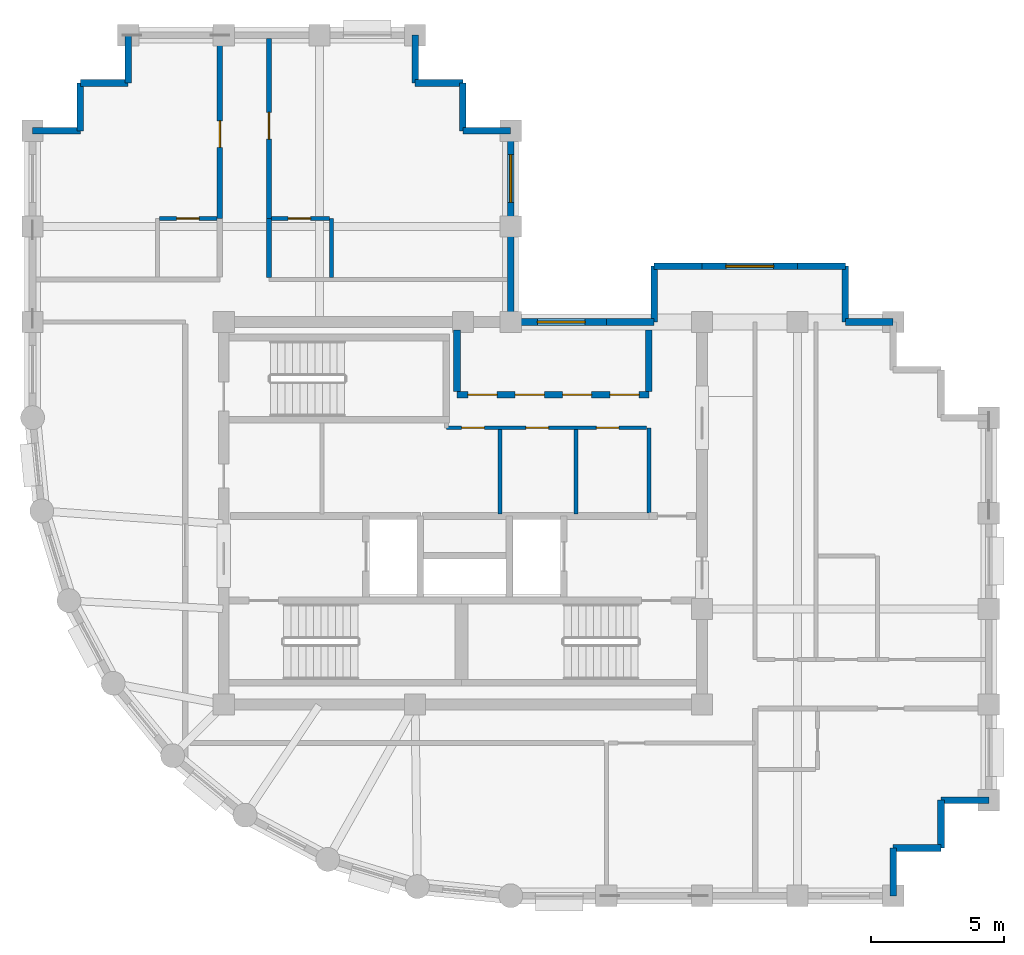
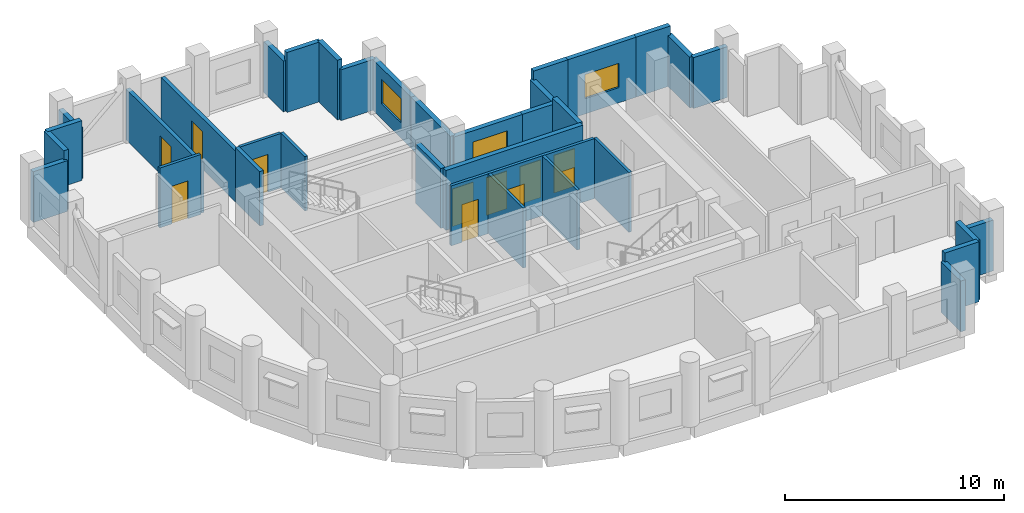
# One storey, part 4 of 7: 35 walls, 11 doors, 3 windows, 14 openings.
"""IFC4 building model written with IfcOpenShell, lengths in metres."""

from ifc_helpers import new_model, si_unit, direction, frame, frame_2d, origin, place, context, subcontext, project, spatial, rectangle, extrude, material, layer, layer_set, type_object, element, fill, save


model = new_model("IFC4")

# Units and contexts
model_context = context("Model", 3, precision=1e-05, world=origin(), true_north=direction((0.0, 1.0)))
body_context = subcontext(model_context, "Body", "Model", "MODEL_VIEW")
ifc_project = project(units=[si_unit("LENGTHUNIT", "METRE"), si_unit("AREAUNIT", "SQUARE_METRE"), si_unit("VOLUMEUNIT", "CUBIC_METRE"), si_unit("PLANEANGLEUNIT", "RADIAN"), si_unit("MASSUNIT", "GRAM", prefix="KILO")], contexts=[model_context])

# Site, building, storey
site_placement = place(None, origin())
site = spatial("IfcSite", under=ifc_project, at=site_placement, CompositionType="ELEMENT")
building_placement = place(site_placement, origin())
building = spatial("IfcBuilding", under=site, at=building_placement, Name="Solnavia Interchange Tower", CompositionType="ELEMENT")
storey_placement = place(building_placement, frame((0.0, 0.0, 288.199951171875)))
storey = spatial("IfcBuildingStorey", under=building, at=storey_placement, Name="L73", CompositionType="ELEMENT", Elevation=288.199951171875)

# Wall, opening, door
ifc_material_1 = material(Name="Gypsum Acoustic Twin-Stud & Mineral Wool", Category="gypsum")
ifc_layer_1 = layer(ifc_material_1, 0.199951171875)
ifc_layer_set_1 = layer_set([ifc_layer_1], Name="Gypsum Acoustic Twin-Stud & Mineral Wool")
wall_type_1 = type_object("IfcWallType", Name="Wall-ApartmentParty-200", PredefinedType="PARTITIONING", material=ifc_layer_set_1)
wall_1_placement = place(storey_placement, frame((14.25, 29.10009765625, 0.0), z_axis=(0.0, 0.0, 1.0), x_axis=(0.0, 1.0, 0.0)))
wall_1 = element("IfcWall", 1, at=wall_1_placement, inside=storey, type_object=wall_type_1, Name="PTW-L73-20 Interior partition wall", PredefinedType="PARTITIONING", context=body_context, shape_type="SweptSolid", body=[
    extrude(rectangle(XDim=6.77099609375, YDim=0.199951171875, at=frame_2d((3.385498046875, 0.0))), origin(), (0.0, 0.0, 1.0), 2.830078125),
])
opening_1_placement = place(wall_1_placement, frame((2.6708984375, 0.0, 0.0)))
opening_1 = element("IfcOpeningElement", 2, at=opening_1_placement, cuts=wall_1, Name="Opening DR-06", PredefinedType="OPENING", context=body_context, shape_type="SweptSolid", body=[
    extrude(rectangle(XDim=1.0, YDim=2.10009765625, at=frame_2d((0.5, 1.050048828125))), frame((0.0, 0.10986328125, 0.0), z_axis=(0.0, -1.0, 0.0), x_axis=(1.0, 0.0, 0.0)), (0.0, 0.0, 1.0), 0.219970703125),
])
ifc_material_2 = material(Name="Engineered Timber Acoustic Fire Door", Category="wood")
door_type_1 = type_object("IfcDoorType", Name="Door-FlatEntry-1000x2100", OperationType="SINGLE_SWING_LEFT", PredefinedType="DOOR", material=ifc_material_2)
door_1_placement = place(opening_1_placement, origin())
door_1 = element("IfcDoor", 3, at=door_1_placement, inside=storey, type_object=door_type_1, Name="DR-L73-08 Interior room door", OperationType="SINGLE_SWING_RIGHT", OverallHeight=2.10009765625, OverallWidth=1.0, PredefinedType="DOOR", context=body_context, shape_type="SweptSolid", body=[
    extrude(rectangle(XDim=1.0, YDim=2.10009765625, at=frame_2d((0.5, 1.050048828125))), frame((0.0, 0.02490234375, 0.0), z_axis=(0.0, -1.0, 0.0), x_axis=(1.0, 0.0, 0.0)), (0.0, 0.0, 1.0), 0.050048828125),
])
fill(opening_1, door_1)

# Wall
wall_2_placement = place(storey_placement, frame((16.10009765625, 26.87890625, 0.0), z_axis=(0.0, 0.0, 1.0), x_axis=(0.0, 1.0, 0.0)))
element("IfcWall", 4, at=wall_2_placement, inside=storey, type_object=wall_type_1, Name="PTW-L73-24 Interior partition wall", PredefinedType="PARTITIONING", context=body_context, shape_type="SweptSolid", body=[
    extrude(rectangle(XDim=2.22119140625, YDim=0.199951171875, at=frame_2d((1.110595703125, 0.0))), origin(), (0.0, 0.0, 1.0), 3.030029296875),
])

# Wall, opening, door
wall_3_placement = place(storey_placement, frame((16.10009765625, 29.10009765625, 0.0), z_axis=(0.0, 0.0, 1.0), x_axis=(0.0, 1.0, 0.0)))
wall_3 = element("IfcWall", 5, at=wall_3_placement, inside=storey, type_object=wall_type_1, Name="PTW-L73-25 Interior partition wall", PredefinedType="PARTITIONING", context=body_context, shape_type="SweptSolid", body=[
    extrude(rectangle(XDim=6.77099609375, YDim=0.199951171875, at=frame_2d((3.385498046875, 0.0))), origin(), (0.0, 0.0, 1.0), 2.830078125),
])
opening_2_placement = place(wall_3_placement, frame((2.989990234375, 0.0, 0.0)))
opening_2 = element("IfcOpeningElement", 6, at=opening_2_placement, cuts=wall_3, Name="Opening DR-06", PredefinedType="OPENING", context=body_context, shape_type="SweptSolid", body=[
    extrude(rectangle(XDim=1.0, YDim=2.10009765625, at=frame_2d((0.5, 1.050048828125))), frame((0.0, 0.10986328125, 0.0), z_axis=(0.0, -1.0, 0.0), x_axis=(1.0, 0.0, 0.0)), (0.0, 0.0, 1.0), 0.219970703125),
])
door_2_placement = place(opening_2_placement, origin())
door_2 = element("IfcDoor", 7, at=door_2_placement, inside=storey, type_object=door_type_1, Name="DR-L73-10 Interior room door", OperationType="SINGLE_SWING_LEFT", OverallHeight=2.10009765625, OverallWidth=1.0, PredefinedType="DOOR", context=body_context, shape_type="SweptSolid", body=[
    extrude(rectangle(XDim=1.0, YDim=2.10009765625, at=frame_2d((0.5, 1.050048828125))), frame((0.0, 0.02490234375, 0.0), z_axis=(0.0, -1.0, 0.0), x_axis=(1.0, 0.0, 0.0)), (0.0, 0.0, 1.0), 0.050048828125),
])
fill(opening_2, door_2)

# Walls
ifc_material_3 = material(Name="Concrete C40/50", Category="concrete")
ifc_layer_2 = layer(ifc_material_3, 0.25)
ifc_layer_set_2 = layer_set([ifc_layer_2], Name="Concrete C40/50")
wall_type_2 = type_object("IfcWallType", Name="Wall-ExtSpandrel-250", PredefinedType="STANDARD", material=ifc_layer_set_2)
wall_4_placement = place(storey_placement, frame((39.60009765625, 5.39990234375, 0.0), z_axis=(0.0, 0.0, 1.0), x_axis=(0.0, -1.0, 0.0)))
element("IfcWall", 8, at=wall_4_placement, inside=storey, type_object=wall_type_2, Name="EXW-L73-05 Exterior precast spandrel wall", PredefinedType="STANDARD", context=body_context, shape_type="SweptSolid", body=[
    extrude(rectangle(XDim=1.7998046875, YDim=0.25, at=frame_2d((0.89990234375, 0.0))), origin(), (0.0, 0.0, 1.0), 2.830078125),
])
wall_5_placement = place(storey_placement, frame((41.39990234375, 5.39990234375, 0.0), z_axis=(0.0, 0.0, 1.0), x_axis=(-1.0, 0.0, 0.0)))
element("IfcWall", 9, at=wall_5_placement, inside=storey, type_object=wall_type_2, Name="EXW-L73-06 Exterior precast spandrel wall", PredefinedType="STANDARD", context=body_context, shape_type="SweptSolid", body=[
    extrude(rectangle(XDim=1.7998046875, YDim=0.25, at=frame_2d((0.89990234375, 0.0))), origin(), (0.0, 0.0, 1.0), 3.3349609375),
])
wall_6_placement = place(storey_placement, frame((41.39990234375, 7.199951171875, 0.0), z_axis=(0.0, 0.0, 1.0), x_axis=(0.0, -1.0, 0.0)))
element("IfcWall", 10, at=wall_6_placement, inside=storey, type_object=wall_type_2, Name="EXW-L73-07 Exterior precast spandrel wall", PredefinedType="STANDARD", context=body_context, shape_type="SweptSolid", body=[
    extrude(rectangle(XDim=1.800048828125, YDim=0.25, at=frame_2d((0.89990234375, 0.0))), origin(), (0.0, 0.0, 1.0), 3.3349609375),
])
for number, where, z_axis, x_axis, name in (
    (11, (43.199951171875, 7.199951171875, 0.0), (0.0, 0.0, 1.0), (-1.0, 0.0, 0.0), "EXW-L73-08 Exterior precast spandrel wall"),
    (12, (37.800048828125, 25.199951171875, 0.0), (0.0, 0.0, 1.0), (1.0, 0.0, 0.0), "EXW-L73-17 Exterior precast spandrel wall"),
):
    element("IfcWall", number, at=place(storey_placement, frame(where, z_axis=z_axis, x_axis=x_axis)), inside=storey, type_object=wall_type_2, Name=name, PredefinedType="STANDARD", context=body_context, shape_type="SweptSolid", body=[
        extrude(rectangle(XDim=1.800048828125, YDim=0.25, at=frame_2d((0.89990234375, 0.0))), origin(), (0.0, 0.0, 1.0), 2.830078125),
    ])
wall_7_placement = place(storey_placement, frame((37.800048828125, 27.300048828125, 0.0), z_axis=(0.0, 0.0, 1.0), x_axis=(0.0, -1.0, 0.0)))
element("IfcWall", 13, at=wall_7_placement, inside=storey, type_object=wall_type_2, Name="EXW-L73-18 Exterior precast spandrel wall", PredefinedType="STANDARD", context=body_context, shape_type="SweptSolid", body=[
    extrude(rectangle(XDim=2.10009765625, YDim=0.25, at=frame_2d((1.050048828125, 0.0))), origin(), (0.0, 0.0, 1.0), 2.830078125),
])
wall_8_placement = place(storey_placement, frame((36.0, 27.300048828125, 0.0), z_axis=(0.0, 0.0, 1.0), x_axis=(1.0, 0.0, 0.0)))
element("IfcWall", 14, at=wall_8_placement, inside=storey, type_object=wall_type_2, Name="EXW-L73-19 Exterior precast spandrel wall", PredefinedType="STANDARD", context=body_context, shape_type="SweptSolid", body=[
    extrude(rectangle(XDim=1.800048828125, YDim=0.25, at=frame_2d((0.89990234375, 0.0))), origin(), (0.0, 0.0, 1.0), 3.3349609375),
])

# Wall, opening, window
wall_9_placement = place(storey_placement, frame((32.39990234375, 27.300048828125, 0.0), z_axis=(0.0, 0.0, 1.0), x_axis=(1.0, 0.0, 0.0)))
wall_9 = element("IfcWall", 15, at=wall_9_placement, inside=storey, type_object=wall_type_2, Name="EXW-L73-20 Exterior precast spandrel wall", PredefinedType="STANDARD", context=body_context, shape_type="SweptSolid", body=[
    extrude(rectangle(XDim=3.60009765625, YDim=0.25, at=frame_2d((1.800048828125, 0.0))), origin(), (0.0, 0.0, 1.0), 3.3349609375),
])
opening_3_placement = place(wall_9_placement, frame((0.89990234375, 0.0, 0.85009765625)))
opening_3 = element("IfcOpeningElement", 16, at=opening_3_placement, cuts=wall_9, Name="Opening WIN-02", PredefinedType="OPENING", context=body_context, shape_type="SweptSolid", body=[
    extrude(rectangle(XDim=1.800048828125, YDim=1.35009765625, at=frame_2d((0.89990234375, 0.675048828125))), frame((0.0, 0.135009765625, 0.0), z_axis=(0.0, -1.0, 0.0), x_axis=(1.0, 0.0, 0.0)), (0.0, 0.0, 1.0), 0.27001953125),
])
ifc_material_4 = material(Name="Thermal-Break Aluminium & Low-E Glass", Category="aluminium")
window_type = type_object("IfcWindowType", Name="Window-Ribbon-1800x1350", PartitioningType="SINGLE_PANEL", PredefinedType="WINDOW", material=ifc_material_4)
window_1_placement = place(opening_3_placement, origin())
window_1 = element("IfcWindow", 17, at=window_1_placement, inside=storey, type_object=window_type, Name="WIN-L73-20 Facade ribbon window", OverallHeight=1.35009765625, OverallWidth=1.800048828125, PartitioningType="SINGLE_PANEL", PredefinedType="WINDOW", context=body_context, shape_type="SweptSolid", body=[
    extrude(rectangle(XDim=1.800048828125, YDim=1.35009765625, at=frame_2d((0.89990234375, 0.675048828125))), frame((0.0, 0.030029296875, 0.0), z_axis=(0.0, -1.0, 0.0), x_axis=(1.0, 0.0, 0.0)), (0.0, 0.0, 1.0), 0.06005859375),
])
fill(opening_3, window_1)

# Walls
wall_10_placement = place(storey_placement, frame((30.60009765625, 27.300048828125, 0.0), z_axis=(0.0, 0.0, 1.0), x_axis=(1.0, 0.0, 0.0)))
element("IfcWall", 18, at=wall_10_placement, inside=storey, type_object=wall_type_2, Name="EXW-L73-21 Exterior precast spandrel wall", PredefinedType="STANDARD", context=body_context, shape_type="SweptSolid", body=[
    extrude(rectangle(XDim=1.7998046875, YDim=0.25, at=frame_2d((0.89990234375, 0.0))), origin(), (0.0, 0.0, 1.0), 3.3349609375),
])
wall_11_placement = place(storey_placement, frame((30.60009765625, 27.300048828125, 0.0), z_axis=(0.0, 0.0, 1.0), x_axis=(0.0, -1.0, 0.0)))
element("IfcWall", 19, at=wall_11_placement, inside=storey, type_object=wall_type_2, Name="EXW-L73-22 Exterior precast spandrel wall", PredefinedType="STANDARD", context=body_context, shape_type="SweptSolid", body=[
    extrude(rectangle(XDim=2.10009765625, YDim=0.25, at=frame_2d((1.050048828125, 0.0))), origin(), (0.0, 0.0, 1.0), 2.830078125),
])
wall_12_placement = place(storey_placement, frame((28.800048828125, 25.199951171875, 0.0), z_axis=(0.0, 0.0, 1.0), x_axis=(1.0, 0.0, 0.0)))
element("IfcWall", 20, at=wall_12_placement, inside=storey, type_object=wall_type_2, Name="EXW-L73-23 Exterior precast spandrel wall", PredefinedType="STANDARD", context=body_context, shape_type="SweptSolid", body=[
    extrude(rectangle(XDim=1.800048828125, YDim=0.25, at=frame_2d((0.89990234375, 0.0))), origin(), (0.0, 0.0, 1.0), 2.830078125),
])

# Wall, opening, window
wall_13_placement = place(storey_placement, frame((25.199951171875, 25.199951171875, 0.0), z_axis=(0.0, 0.0, 1.0), x_axis=(1.0, 0.0, 0.0)))
wall_13 = element("IfcWall", 21, at=wall_13_placement, inside=storey, type_object=wall_type_2, Name="EXW-L73-24 Exterior precast spandrel wall", PredefinedType="STANDARD", context=body_context, shape_type="SweptSolid", body=[
    extrude(rectangle(XDim=3.60009765625, YDim=0.25, at=frame_2d((1.800048828125, 0.0))), origin(), (0.0, 0.0, 1.0), 2.830078125),
])
opening_4_placement = place(wall_13_placement, frame((1.0048828125, 0.0, 0.85009765625)))
opening_4 = element("IfcOpeningElement", 22, at=opening_4_placement, cuts=wall_13, Name="Opening WIN-02", PredefinedType="OPENING", context=body_context, shape_type="SweptSolid", body=[
    extrude(rectangle(XDim=1.800048828125, YDim=1.35009765625, at=frame_2d((0.89990234375, 0.675048828125))), frame((0.0, 0.135009765625, 0.0), z_axis=(0.0, -1.0, 0.0), x_axis=(1.0, 0.0, 0.0)), (0.0, 0.0, 1.0), 0.27001953125),
])
window_2_placement = place(opening_4_placement, origin())
window_2 = element("IfcWindow", 23, at=window_2_placement, inside=storey, type_object=window_type, Name="WIN-L73-24 Facade ribbon window", OverallHeight=1.35009765625, OverallWidth=1.800048828125, PartitioningType="SINGLE_PANEL", PredefinedType="WINDOW", context=body_context, shape_type="SweptSolid", body=[
    extrude(rectangle(XDim=1.800048828125, YDim=1.35009765625, at=frame_2d((0.89990234375, 0.675048828125))), frame((0.0, 0.030029296875, 0.0), z_axis=(0.0, -1.0, 0.0), x_axis=(1.0, 0.0, 0.0)), (0.0, 0.0, 1.0), 0.06005859375),
])
fill(opening_4, window_2)

# Wall
wall_14_placement = place(storey_placement, frame((25.199951171875, 28.800048828125, 0.0), z_axis=(0.0, 0.0, 1.0), x_axis=(0.0, -1.0, 0.0)))
element("IfcWall", 24, at=wall_14_placement, inside=storey, type_object=wall_type_2, Name="EXW-L73-25 Exterior precast spandrel wall", PredefinedType="STANDARD", context=body_context, shape_type="SweptSolid", body=[
    extrude(rectangle(XDim=3.60009765625, YDim=0.25, at=frame_2d((1.800048828125, 0.0))), origin(), (0.0, 0.0, 1.0), 2.830078125),
])

# Wall, opening, window
wall_15_placement = place(storey_placement, frame((25.199951171875, 32.39990234375, 0.0), z_axis=(0.0, 0.0, 1.0), x_axis=(0.0, -1.0, 0.0)))
wall_15 = element("IfcWall", 25, at=wall_15_placement, inside=storey, type_object=wall_type_2, Name="EXW-L73-26 Exterior precast spandrel wall", PredefinedType="STANDARD", context=body_context, shape_type="SweptSolid", body=[
    extrude(rectangle(XDim=3.599853515625, YDim=0.25, at=frame_2d((1.7998046875, 0.0))), origin(), (0.0, 0.0, 1.0), 2.830078125),
])
opening_5_placement = place(wall_15_placement, frame((0.89990234375, 0.0, 0.85009765625)))
opening_5 = element("IfcOpeningElement", 26, at=opening_5_placement, cuts=wall_15, Name="Opening WIN-02", PredefinedType="OPENING", context=body_context, shape_type="SweptSolid", body=[
    extrude(rectangle(XDim=1.800048828125, YDim=1.35009765625, at=frame_2d((0.89990234375, 0.675048828125))), frame((0.0, 0.135009765625, 0.0), z_axis=(0.0, -1.0, 0.0), x_axis=(1.0, 0.0, 0.0)), (0.0, 0.0, 1.0), 0.27001953125),
])
window_3_placement = place(opening_5_placement, origin())
window_3 = element("IfcWindow", 27, at=window_3_placement, inside=storey, type_object=window_type, Name="WIN-L73-26 Facade ribbon window", OverallHeight=1.35009765625, OverallWidth=1.800048828125, PartitioningType="SINGLE_PANEL", PredefinedType="WINDOW", context=body_context, shape_type="SweptSolid", body=[
    extrude(rectangle(XDim=1.800048828125, YDim=1.35009765625, at=frame_2d((0.89990234375, 0.675048828125))), frame((0.0, 0.030029296875, 0.0), z_axis=(0.0, -1.0, 0.0), x_axis=(1.0, 0.0, 0.0)), (0.0, 0.0, 1.0), 0.06005859375),
])
fill(opening_5, window_3)

# Walls
wall_16_placement = place(storey_placement, frame((23.39990234375, 32.39990234375, 0.0), z_axis=(0.0, 0.0, 1.0), x_axis=(1.0, 0.0, 0.0)))
element("IfcWall", 28, at=wall_16_placement, inside=storey, type_object=wall_type_2, Name="EXW-L73-27 Exterior precast spandrel wall", PredefinedType="STANDARD", context=body_context, shape_type="SweptSolid", body=[
    extrude(rectangle(XDim=1.800048828125, YDim=0.25, at=frame_2d((0.89990234375, 0.0))), origin(), (0.0, 0.0, 1.0), 2.830078125),
])
wall_17_placement = place(storey_placement, frame((23.39990234375, 32.39990234375, 0.0), z_axis=(0.0, 0.0, 1.0), x_axis=(0.0, 1.0, 0.0)))
element("IfcWall", 29, at=wall_17_placement, inside=storey, type_object=wall_type_2, Name="EXW-L73-28 Exterior precast spandrel wall", PredefinedType="STANDARD", context=body_context, shape_type="SweptSolid", body=[
    extrude(rectangle(XDim=1.800048828125, YDim=0.25, at=frame_2d((0.89990234375, 0.0))), origin(), (0.0, 0.0, 1.0), 3.3349609375),
])
wall_18_placement = place(storey_placement, frame((21.60009765625, 34.199951171875, 0.0), z_axis=(0.0, 0.0, 1.0), x_axis=(1.0, 0.0, 0.0)))
element("IfcWall", 30, at=wall_18_placement, inside=storey, type_object=wall_type_2, Name="EXW-L73-29 Exterior precast spandrel wall", PredefinedType="STANDARD", context=body_context, shape_type="SweptSolid", body=[
    extrude(rectangle(XDim=1.7998046875, YDim=0.25, at=frame_2d((0.89990234375, 0.0))), origin(), (0.0, 0.0, 1.0), 3.3349609375),
])
for number, where, z_axis, x_axis, name in (
    (31, (21.60009765625, 34.199951171875, 0.0), (0.0, 0.0, 1.0), (0.0, 1.0, 0.0), "EXW-L73-30 Exterior precast spandrel wall"),
    (32, (10.800048828125, 34.199951171875, 0.0), (0.0, 0.0, 1.0), (0.0, 1.0, 0.0), "EXW-L73-34 Exterior precast spandrel wall"),
):
    element("IfcWall", number, at=place(storey_placement, frame(where, z_axis=z_axis, x_axis=x_axis)), inside=storey, type_object=wall_type_2, Name=name, PredefinedType="STANDARD", context=body_context, shape_type="SweptSolid", body=[
        extrude(rectangle(XDim=1.800048828125, YDim=0.25, at=frame_2d((0.89990234375, 0.0))), origin(), (0.0, 0.0, 1.0), 2.830078125),
    ])
for number, where, z_axis, x_axis, name in (
    (33, (9.0, 34.199951171875, 0.0), (0.0, 0.0, 1.0), (1.0, 0.0, 0.0), "EXW-L73-35 Exterior precast spandrel wall"),
    (34, (9.0, 32.39990234375, 0.0), (0.0, 0.0, 1.0), (0.0, 1.0, 0.0), "EXW-L73-36 Exterior precast spandrel wall"),
):
    element("IfcWall", number, at=place(storey_placement, frame(where, z_axis=z_axis, x_axis=x_axis)), inside=storey, type_object=wall_type_2, Name=name, PredefinedType="STANDARD", context=body_context, shape_type="SweptSolid", body=[
        extrude(rectangle(XDim=1.800048828125, YDim=0.25, at=frame_2d((0.89990234375, 0.0))), origin(), (0.0, 0.0, 1.0), 3.3349609375),
    ])
wall_19_placement = place(storey_placement, frame((7.199951171875, 32.39990234375, 0.0), z_axis=(0.0, 0.0, 1.0), x_axis=(1.0, 0.0, 0.0)))
element("IfcWall", 35, at=wall_19_placement, inside=storey, type_object=wall_type_2, Name="EXW-L73-37 Exterior precast spandrel wall", PredefinedType="STANDARD", context=body_context, shape_type="SweptSolid", body=[
    extrude(rectangle(XDim=1.800048828125, YDim=0.25, at=frame_2d((0.89990234375, 0.0))), origin(), (0.0, 0.0, 1.0), 2.830078125),
])

# Wall, openings, doors
ifc_material_5 = material(Name="Gypsum Plasterboard & Steel Stud", Category="steel")
ifc_layer_3 = layer(ifc_material_5, 0.14990234375)
ifc_layer_set_3 = layer_set([ifc_layer_3], Name="Gypsum Plasterboard & Steel Stud")
wall_type_3 = type_object("IfcWallType", Name="Wall-Partition-150", PredefinedType="PARTITIONING", material=ifc_layer_set_3)
wall_20_placement = place(storey_placement, frame((22.77490234375, 21.219970703125, 0.0), z_axis=(0.0, 0.0, 1.0), x_axis=(1.0, 0.0, 0.0)))
wall_20 = element("IfcWall", 36, at=wall_20_placement, inside=storey, type_object=wall_type_3, Name="CSW-L73-N-ALL Core shaft wall", PredefinedType="PARTITIONING", context=body_context, shape_type="SweptSolid", body=[
    extrude(rectangle(XDim=7.545166015625, YDim=0.14990234375, at=frame_2d((3.7724609375, 0.0))), origin(), (0.0, 0.0, 1.0), 3.3349609375),
])
opening_6_placement = place(wall_20_placement, frame((0.580078125, 0.0, 0.0)))
opening_6 = element("IfcOpeningElement", 37, at=opening_6_placement, cuts=wall_20, Name="Opening DR-10", PredefinedType="OPENING", context=body_context, shape_type="SweptSolid", body=[
    extrude(rectangle(XDim=0.85009765625, YDim=2.10009765625, at=frame_2d((0.425048828125, 1.050048828125))), frame((0.0, 0.0849609375, 0.0), z_axis=(0.0, -1.0, 0.0), x_axis=(1.0, 0.0, 0.0)), (0.0, 0.0, 1.0), 0.169921875),
])
opening_7_placement = place(wall_20_placement, frame((3.0, 0.0, 0.0)))
opening_7 = element("IfcOpeningElement", 38, at=opening_7_placement, cuts=wall_20, Name="Opening DR-10", PredefinedType="OPENING", context=body_context, shape_type="SweptSolid", body=[
    extrude(rectangle(XDim=0.85009765625, YDim=2.10009765625, at=frame_2d((0.425048828125, 1.050048828125))), frame((0.0, 0.0849609375, 0.0), z_axis=(0.0, -1.0, 0.0), x_axis=(1.0, 0.0, 0.0)), (0.0, 0.0, 1.0), 0.169921875),
])
opening_8_placement = place(wall_20_placement, frame((5.64990234375, 0.0, 0.0)))
opening_8 = element("IfcOpeningElement", 39, at=opening_8_placement, cuts=wall_20, Name="Opening DR-10", PredefinedType="OPENING", context=body_context, shape_type="SweptSolid", body=[
    extrude(rectangle(XDim=0.85009765625, YDim=2.10009765625, at=frame_2d((0.425048828125, 1.050048828125))), frame((0.0, 0.0849609375, 0.0), z_axis=(0.0, -1.0, 0.0), x_axis=(1.0, 0.0, 0.0)), (0.0, 0.0, 1.0), 0.169921875),
])
ifc_material_6 = material(Name="Moisture-Resistant Timber Door", Category="wood")
door_type_2 = type_object("IfcDoorType", Name="Door-Bathroom-850x2100", OperationType="SINGLE_SWING_RIGHT", PredefinedType="DOOR", material=ifc_material_6)
door_3_placement = place(opening_6_placement, origin())
door_3 = element("IfcDoor", 40, at=door_3_placement, inside=storey, type_object=door_type_2, Name="DR-L73-CS2 Core fire door", OperationType="SINGLE_SWING_LEFT", OverallHeight=2.10009765625, OverallWidth=0.85009765625, PredefinedType="DOOR", context=body_context, shape_type="SweptSolid", body=[
    extrude(rectangle(XDim=0.85009765625, YDim=2.10009765625, at=frame_2d((0.425048828125, 1.050048828125))), frame((0.0, 0.02490234375, 0.0), z_axis=(0.0, -1.0, 0.0), x_axis=(1.0, 0.0, 0.0)), (0.0, 0.0, 1.0), 0.050048828125),
])
fill(opening_6, door_3)
door_4_placement = place(opening_7_placement, origin())
door_4 = element("IfcDoor", 41, at=door_4_placement, inside=storey, type_object=door_type_2, Name="DR-L73-CS3 Core fire door", OperationType="SINGLE_SWING_LEFT", OverallHeight=2.10009765625, OverallWidth=0.85009765625, PredefinedType="DOOR", context=body_context, shape_type="SweptSolid", body=[
    extrude(rectangle(XDim=0.85009765625, YDim=2.10009765625, at=frame_2d((0.425048828125, 1.050048828125))), frame((0.0, 0.02490234375, 0.0), z_axis=(0.0, -1.0, 0.0), x_axis=(1.0, 0.0, 0.0)), (0.0, 0.0, 1.0), 0.050048828125),
])
fill(opening_7, door_4)
door_5_placement = place(opening_8_placement, origin())
door_5 = element("IfcDoor", 42, at=door_5_placement, inside=storey, type_object=door_type_2, Name="DR-L73-CS4 Core fire door", OperationType="SINGLE_SWING_RIGHT", OverallHeight=2.10009765625, OverallWidth=0.85009765625, PredefinedType="DOOR", context=body_context, shape_type="SweptSolid", body=[
    extrude(rectangle(XDim=0.85009765625, YDim=2.10009765625, at=frame_2d((0.425048828125, 1.050048828125))), frame((0.0, 0.02490234375, 0.0), z_axis=(0.0, -1.0, 0.0), x_axis=(1.0, 0.0, 0.0)), (0.0, 0.0, 1.0), 0.050048828125),
])
fill(opening_8, door_5)

# Walls
wall_21_placement = place(storey_placement, frame((30.39990234375, 18.02001953125, 0.0), z_axis=(0.0, 0.0, 1.0), x_axis=(0.0, 1.0, 0.0)))
element("IfcWall", 43, at=wall_21_placement, inside=storey, type_object=wall_type_3, Name="CSW-L73-E-E Core shaft wall", PredefinedType="PARTITIONING", context=body_context, shape_type="SweptSolid", body=[
    extrude(rectangle(XDim=3.199951171875, YDim=0.14990234375, at=frame_2d((1.60009765625, 0.0))), origin(), (0.0, 0.0, 1.0), 3.3349609375),
])
for number, where, z_axis, x_axis, name in (
    (44, (24.800048828125, 17.97998046875, 0.0), (0.0, 0.0, 1.0), (0.0, 1.0, 0.0), "CSW-L73-M2 Core shaft wall"),
    (45, (27.64990234375, 17.97998046875, 0.0), (0.0, 0.0, 1.0), (0.0, 1.0, 0.0), "CSW-L73-M3 Core shaft wall"),
):
    element("IfcWall", number, at=place(storey_placement, frame(where, z_axis=z_axis, x_axis=x_axis)), inside=storey, type_object=wall_type_3, Name=name, PredefinedType="PARTITIONING", context=body_context, shape_type="SweptSolid", body=[
        extrude(rectangle(XDim=3.169921875, YDim=0.14990234375, at=frame_2d((1.5849609375, 0.0))), origin(), (0.0, 0.0, 1.0), 3.3349609375),
    ])

# Wall, openings, doors
ifc_layer_4 = layer(ifc_material_3, 0.25)
ifc_layer_set_4 = layer_set([ifc_layer_4], Name="Concrete C40/50")
wall_type_4 = type_object("IfcWallType", Name="Wall-ShaftPart-250", PredefinedType="PARTITIONING", material=ifc_layer_set_4)
wall_22_placement = place(storey_placement, frame((23.179931640625, 22.4599609375, 0.0), z_axis=(0.0, 0.0, 1.0), x_axis=(1.0, 0.0, 0.0)))
wall_22 = element("IfcWall", 46, at=wall_22_placement, inside=storey, type_object=wall_type_4, Name="SHW-L73-B3S Core shaft wall", PredefinedType="PARTITIONING", context=body_context, shape_type="SweptSolid", body=[
    extrude(rectangle(XDim=7.219970703125, YDim=0.25, at=frame_2d((3.60986328125, 0.0))), origin(), (0.0, 0.0, 1.0), 3.3349609375),
])
opening_9_placement = place(wall_22_placement, frame((0.409912109375, 0.0, 0.0)))
opening_9 = element("IfcOpeningElement", 47, at=opening_9_placement, cuts=wall_22, Name="Opening LD-01", PredefinedType="OPENING", context=body_context, shape_type="SweptSolid", body=[
    extrude(rectangle(XDim=1.10009765625, YDim=2.10009765625, at=frame_2d((0.550048828125, 1.050048828125))), frame((0.0, 0.135009765625, 0.0), z_axis=(0.0, -1.0, 0.0), x_axis=(1.0, 0.0, 0.0)), (0.0, 0.0, 1.0), 0.27001953125),
])
opening_10_placement = place(wall_22_placement, frame((2.18994140625, 0.0, 0.0)))
opening_10 = element("IfcOpeningElement", 48, at=opening_10_placement, cuts=wall_22, Name="Opening LD-01", PredefinedType="OPENING", context=body_context, shape_type="SweptSolid", body=[
    extrude(rectangle(XDim=1.10009765625, YDim=2.10009765625, at=frame_2d((0.550048828125, 1.050048828125))), frame((0.0, 0.135009765625, 0.0), z_axis=(0.0, -1.0, 0.0), x_axis=(1.0, 0.0, 0.0)), (0.0, 0.0, 1.0), 0.27001953125),
])
opening_11_placement = place(wall_22_placement, frame((3.969970703125, 0.0, 0.0)))
opening_11 = element("IfcOpeningElement", 49, at=opening_11_placement, cuts=wall_22, Name="Opening LD-01", PredefinedType="OPENING", context=body_context, shape_type="SweptSolid", body=[
    extrude(rectangle(XDim=1.10009765625, YDim=2.10009765625, at=frame_2d((0.550048828125, 1.050048828125))), frame((0.0, 0.135009765625, 0.0), z_axis=(0.0, -1.0, 0.0), x_axis=(1.0, 0.0, 0.0)), (0.0, 0.0, 1.0), 0.27001953125),
])
opening_12_placement = place(wall_22_placement, frame((5.75, 0.0, 0.0)))
opening_12 = element("IfcOpeningElement", 50, at=opening_12_placement, cuts=wall_22, Name="Opening LD-01", PredefinedType="OPENING", context=body_context, shape_type="SweptSolid", body=[
    extrude(rectangle(XDim=1.10009765625, YDim=2.10009765625, at=frame_2d((0.550048828125, 1.050048828125))), frame((0.0, 0.135009765625, 0.0), z_axis=(0.0, -1.0, 0.0), x_axis=(1.0, 0.0, 0.0)), (0.0, 0.0, 1.0), 0.27001953125),
])
ifc_material_7 = material(Name="Brushed Stainless Steel Sliding Door", Category="steel")
door_type_3 = type_object("IfcDoorType", Name="Door-LiftLanding-1100x2100", OperationType="SLIDING_TO_LEFT", PredefinedType="DOOR", material=ifc_material_7)
door_6_placement = place(opening_9_placement, origin())
door_6 = element("IfcDoor", 51, at=door_6_placement, inside=storey, type_object=door_type_3, Name="LD-L73-B3-1 Lift landing sliding door", OperationType="SLIDING_TO_LEFT", OverallHeight=2.10009765625, OverallWidth=1.10009765625, PredefinedType="DOOR", context=body_context, shape_type="SweptSolid", body=[
    extrude(rectangle(XDim=1.10009765625, YDim=2.10009765625, at=frame_2d((0.550048828125, 1.050048828125))), frame((0.0, 0.02490234375, 0.0), z_axis=(0.0, -1.0, 0.0), x_axis=(1.0, 0.0, 0.0)), (0.0, 0.0, 1.0), 0.050048828125),
])
fill(opening_9, door_6)
door_7_placement = place(opening_10_placement, origin())
door_7 = element("IfcDoor", 52, at=door_7_placement, inside=storey, type_object=door_type_3, Name="LD-L73-B3-2 Lift landing sliding door", OperationType="SLIDING_TO_LEFT", OverallHeight=2.10009765625, OverallWidth=1.10009765625, PredefinedType="DOOR", context=body_context, shape_type="SweptSolid", body=[
    extrude(rectangle(XDim=1.10009765625, YDim=2.10009765625, at=frame_2d((0.550048828125, 1.050048828125))), frame((0.0, 0.02490234375, 0.0), z_axis=(0.0, -1.0, 0.0), x_axis=(1.0, 0.0, 0.0)), (0.0, 0.0, 1.0), 0.050048828125),
])
fill(opening_10, door_7)
door_8_placement = place(opening_11_placement, origin())
door_8 = element("IfcDoor", 53, at=door_8_placement, inside=storey, type_object=door_type_3, Name="LD-L73-B3-3 Lift landing sliding door", OperationType="SLIDING_TO_LEFT", OverallHeight=2.10009765625, OverallWidth=1.10009765625, PredefinedType="DOOR", context=body_context, shape_type="SweptSolid", body=[
    extrude(rectangle(XDim=1.10009765625, YDim=2.10009765625, at=frame_2d((0.550048828125, 1.050048828125))), frame((0.0, 0.02490234375, 0.0), z_axis=(0.0, -1.0, 0.0), x_axis=(1.0, 0.0, 0.0)), (0.0, 0.0, 1.0), 0.050048828125),
])
fill(opening_11, door_8)
door_9_placement = place(opening_12_placement, origin())
door_9 = element("IfcDoor", 54, at=door_9_placement, inside=storey, type_object=door_type_3, Name="LD-L73-B3-4 Lift landing sliding door", OperationType="SLIDING_TO_LEFT", OverallHeight=2.10009765625, OverallWidth=1.10009765625, PredefinedType="DOOR", context=body_context, shape_type="SweptSolid", body=[
    extrude(rectangle(XDim=1.10009765625, YDim=2.10009765625, at=frame_2d((0.550048828125, 1.050048828125))), frame((0.0, 0.02490234375, 0.0), z_axis=(0.0, -1.0, 0.0), x_axis=(1.0, 0.0, 0.0)), (0.0, 0.0, 1.0), 0.050048828125),
])
fill(opening_12, door_9)

# Walls
for number, where, z_axis, x_axis, name in (
    (55, (23.179931640625, 22.5849609375, 0.0), (0.0, 0.0, 1.0), (0.0, 1.0, 0.0), "SHW-L73-B3W Core shaft wall"),
    (56, (30.39990234375, 22.5849609375, 0.0), (0.0, 0.0, 1.0), (0.0, 1.0, 0.0), "SHW-L73-B3E Core shaft wall"),
):
    element("IfcWall", number, at=place(storey_placement, frame(where, z_axis=z_axis, x_axis=x_axis)), inside=storey, type_object=wall_type_4, Name=name, PredefinedType="PARTITIONING", context=body_context, shape_type="SweptSolid", body=[
        extrude(rectangle(XDim=2.31494140625, YDim=0.25, at=frame_2d((1.157470703125, 0.0))), origin(), (0.0, 0.0, 1.0), 3.3349609375),
    ])

# Wall, opening, door
ifc_material_8 = material(Name="Moisture-Resistant Gypsum & Steel Stud", Category="steel")
ifc_layer_5 = layer(ifc_material_8, 0.14990234375)
ifc_layer_set_5 = layer_set([ifc_layer_5], Name="Moisture-Resistant Gypsum & Steel Stud")
wall_type_5 = type_object("IfcWallType", Name="Wall-WetRoom-150", PredefinedType="PARTITIONING", material=ifc_layer_set_5)
wall_23_placement = place(storey_placement, frame((11.97900390625, 29.10009765625, 0.0), z_axis=(0.0, 0.0, 1.0), x_axis=(1.0, 0.0, 0.0)))
wall_23 = element("IfcWall", 57, at=wall_23_placement, inside=storey, type_object=wall_type_5, Name="PTW-L73-22 Interior partition wall", PredefinedType="PARTITIONING", context=body_context, shape_type="SweptSolid", body=[
    extrude(rectangle(XDim=2.1669921875, YDim=0.14990234375, at=frame_2d((1.08349609375, 0.0))), origin(), (0.0, 0.0, 1.0), 3.3349609375),
])
opening_13_placement = place(wall_23_placement, frame((0.64111328125, 0.0, 0.0)))
opening_13 = element("IfcOpeningElement", 58, at=opening_13_placement, cuts=wall_23, Name="Opening DR-10", PredefinedType="OPENING", context=body_context, shape_type="SweptSolid", body=[
    extrude(rectangle(XDim=0.85009765625, YDim=2.10009765625, at=frame_2d((0.425048828125, 1.050048828125))), frame((0.0, 0.0849609375, 0.0), z_axis=(0.0, -1.0, 0.0), x_axis=(1.0, 0.0, 0.0)), (0.0, 0.0, 1.0), 0.169921875),
])
door_10_placement = place(opening_13_placement, origin())
door_10 = element("IfcDoor", 59, at=door_10_placement, inside=storey, type_object=door_type_2, Name="DR-L73-09 Interior room door", OperationType="SINGLE_SWING_RIGHT", OverallHeight=2.10009765625, OverallWidth=0.85009765625, PredefinedType="DOOR", context=body_context, shape_type="SweptSolid", body=[
    extrude(rectangle(XDim=0.85009765625, YDim=2.10009765625, at=frame_2d((0.425048828125, 1.050048828125))), frame((0.0, 0.02490234375, 0.0), z_axis=(0.0, -1.0, 0.0), x_axis=(1.0, 0.0, 0.0)), (0.0, 0.0, 1.0), 0.050048828125),
])
fill(opening_13, door_10)

# Wall
wall_24_placement = place(storey_placement, frame((18.449951171875, 26.87890625, 0.0), z_axis=(0.0, 0.0, 1.0), x_axis=(0.0, 1.0, 0.0)))
element("IfcWall", 60, at=wall_24_placement, inside=storey, type_object=wall_type_5, Name="PTW-L73-26 Interior partition wall", PredefinedType="PARTITIONING", context=body_context, shape_type="SweptSolid", body=[
    extrude(rectangle(XDim=2.22119140625, YDim=0.14990234375, at=frame_2d((1.110595703125, 0.0))), origin(), (0.0, 0.0, 1.0), 3.030029296875),
])

# Wall, opening, door
wall_25_placement = place(storey_placement, frame((16.2041015625, 29.10009765625, 0.0), z_axis=(0.0, 0.0, 1.0), x_axis=(1.0, 0.0, 0.0)))
wall_25 = element("IfcWall", 61, at=wall_25_placement, inside=storey, type_object=wall_type_5, Name="PTW-L73-27 Interior partition wall", PredefinedType="PARTITIONING", context=body_context, shape_type="SweptSolid", body=[
    extrude(rectangle(XDim=2.1669921875, YDim=0.14990234375, at=frame_2d((1.08349609375, 0.0))), origin(), (0.0, 0.0, 1.0), 3.030029296875),
])
opening_14_placement = place(wall_25_placement, frame((0.615966796875, 0.0, 0.0)))
opening_14 = element("IfcOpeningElement", 62, at=opening_14_placement, cuts=wall_25, Name="Opening DR-10", PredefinedType="OPENING", context=body_context, shape_type="SweptSolid", body=[
    extrude(rectangle(XDim=0.85009765625, YDim=2.10009765625, at=frame_2d((0.425048828125, 1.050048828125))), frame((0.0, 0.0849609375, 0.0), z_axis=(0.0, -1.0, 0.0), x_axis=(1.0, 0.0, 0.0)), (0.0, 0.0, 1.0), 0.169921875),
])
door_11_placement = place(opening_14_placement, origin())
door_11 = element("IfcDoor", 63, at=door_11_placement, inside=storey, type_object=door_type_2, Name="DR-L73-11 Interior room door", OperationType="SINGLE_SWING_RIGHT", OverallHeight=2.10009765625, OverallWidth=0.85009765625, PredefinedType="DOOR", context=body_context, shape_type="SweptSolid", body=[
    extrude(rectangle(XDim=0.85009765625, YDim=2.10009765625, at=frame_2d((0.425048828125, 1.050048828125))), frame((0.0, 0.02490234375, 0.0), z_axis=(0.0, -1.0, 0.0), x_axis=(1.0, 0.0, 0.0)), (0.0, 0.0, 1.0), 0.050048828125),
])
fill(opening_14, door_11)

save(model, "model.ifc")
